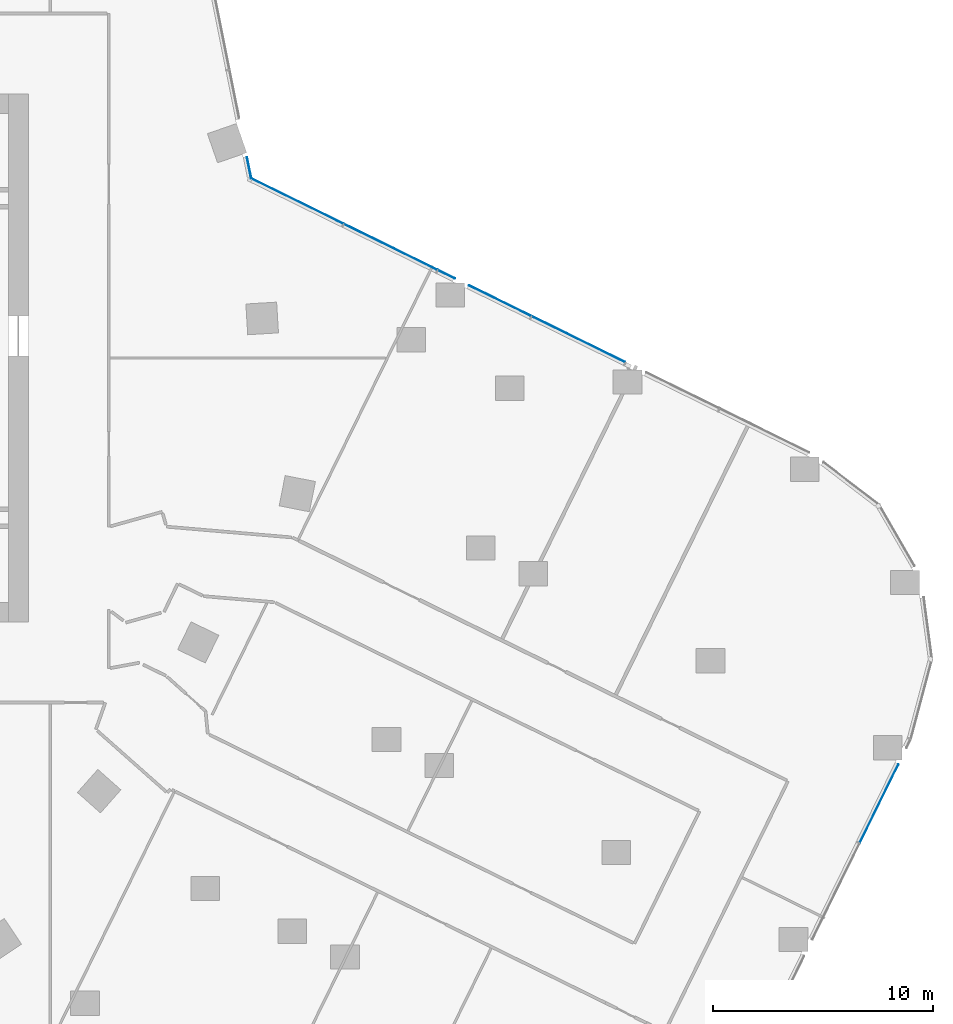
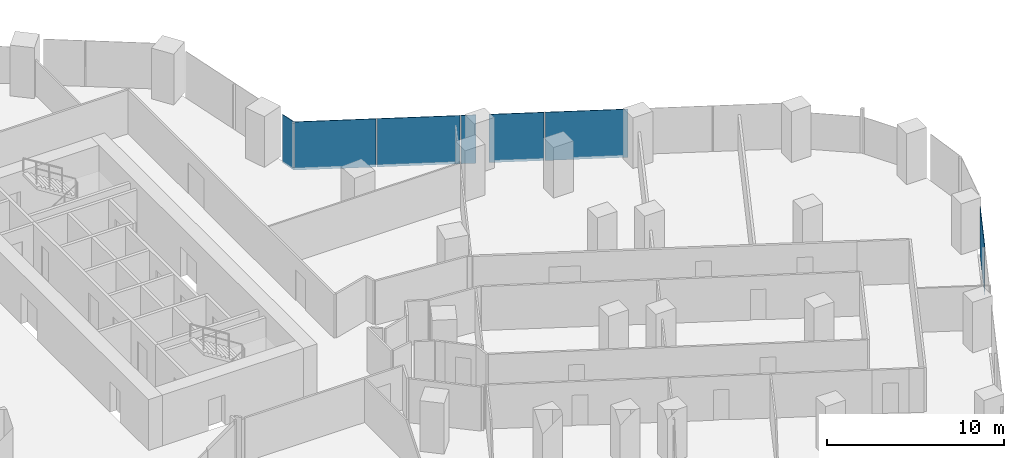
# One storey, part 22 of 38: 7 plates, 3 elements without a shape of their own.
"""IFC4 building model written with IfcOpenShell, lengths in metres."""

from ifc_helpers import new_model, si_unit, direction, frame, origin, origin_2d, place, context, subcontext, project, spatial, rectangle, extrude, material, layer, layer_set, type_object, element, aggregate, save


model = new_model("IFC4")

# Units and contexts
model_context = context("Model", 3, precision=1e-05, world=origin(), true_north=direction((0.0, 1.0)))
body_context = subcontext(model_context, "Body", "Model", "MODEL_VIEW")
ifc_project = project(units=[si_unit("LENGTHUNIT", "METRE"), si_unit("AREAUNIT", "SQUARE_METRE"), si_unit("VOLUMEUNIT", "CUBIC_METRE"), si_unit("PLANEANGLEUNIT", "RADIAN"), si_unit("MASSUNIT", "GRAM", prefix="KILO")], contexts=[model_context])

# Site, building, storey
site_placement = place(None, origin())
site = spatial("IfcSite", under=ifc_project, at=site_placement, CompositionType="ELEMENT")
building_placement = place(site_placement, origin())
building = spatial("IfcBuilding", under=site, at=building_placement, Name="Orlundy Tower", CompositionType="ELEMENT")
storey_placement = place(building_placement, frame((0.0, 0.0, 72.800048828125)))
storey = spatial("IfcBuildingStorey", under=building, at=storey_placement, Name="L17", CompositionType="ELEMENT", Elevation=72.800048828125)

# Curtain wall, plate
ifc_material_1 = material(Name="Aluminium bronze anodised", Category="aluminium")
curtain_wall_type = type_object("IfcCurtainWallType", Name="CW1 wall", PredefinedType="NOTDEFINED", material=ifc_material_1)
curtain_wall_1_placement = place(storey_placement, origin())
curtain_wall_1 = element("IfcCurtainWall", 1, at=curtain_wall_1_placement, inside=storey, type_object=curtain_wall_type, Name="CW1 run 017", PredefinedType="NOTDEFINED")
ifc_material_2 = material(Name="Tinted glass", Category="glass")
ifc_layer = layer(ifc_material_2, 0.031982421875)
ifc_layer_set = layer_set([ifc_layer], Name="CW1 glass panel 32")
plate_type = type_object("IfcPlateType", Name="CW1 glass panel 32", PredefinedType="CURTAIN_PANEL", material=ifc_layer_set)
plate_1_placement = place(storey_placement, frame((29.032958984375, 8.63720703125, -0.280029296875), z_axis=(0.0, 0.0, 1.0), x_axis=(0.196529373401, -0.980497937474, 0.0)))
plate_1 = element("IfcPlate", 2, at=plate_1_placement, type_object=plate_type, Name="CW1 panel", PredefinedType="CURTAIN_PANEL", context=body_context, shape_type="SweptSolid", body=[
    extrude(rectangle(XDim=0.986572265625, YDim=0.031982421875, at=origin_2d()), origin(), (0.0, 0.0, 1.0), 3.330078125),
])
aggregate(curtain_wall_1, [plate_1])

# Curtain wall, plates
curtain_wall_2_placement = place(storey_placement, origin())
curtain_wall_2 = element("IfcCurtainWall", 3, at=curtain_wall_2_placement, inside=storey, type_object=curtain_wall_type, Name="CW1 run 018", PredefinedType="NOTDEFINED")
plate_2_placement = place(storey_placement, frame((31.21630859375, 7.12841796875, -0.280029296875), z_axis=(0.0, 0.0, 1.0), x_axis=(0.897517823728, -0.440978180969, 0.0)))
plate_2 = element("IfcPlate", 4, at=plate_2_placement, type_object=plate_type, Name="CW1 panel", PredefinedType="CURTAIN_PANEL", context=body_context, shape_type="SweptSolid", body=[
    extrude(rectangle(XDim=4.6494140625, YDim=0.031982421875, at=origin_2d()), origin(), (0.0, 0.0, 1.0), 3.330078125),
])
plate_3_placement = place(storey_placement, frame((35.459228515625, 5.043701171875, -0.280029296875), z_axis=(0.0, 0.0, 1.0), x_axis=(0.897517823728, -0.440978180969, 0.0)))
plate_3 = element("IfcPlate", 5, at=plate_3_placement, type_object=plate_type, Name="CW1 panel", PredefinedType="CURTAIN_PANEL", context=body_context, shape_type="SweptSolid", body=[
    extrude(rectangle(XDim=4.705322265625, YDim=0.031982421875, at=origin_2d()), origin(), (0.0, 0.0, 1.0), 3.330078125),
])
plate_4_placement = place(storey_placement, frame((37.99755859375, 3.796630859375, -0.280029296875), z_axis=(0.0, 0.0, 1.0), x_axis=(0.897517823728, -0.440978180969, 0.0)))
plate_4 = element("IfcPlate", 6, at=plate_4_placement, type_object=plate_type, Name="CW1 panel", PredefinedType="CURTAIN_PANEL", context=body_context, shape_type="SweptSolid", body=[
    extrude(rectangle(XDim=0.850830078125, YDim=0.031982421875, at=origin_2d()), origin(), (0.0, 0.0, 1.0), 3.330078125),
])
plate_5_placement = place(storey_placement, frame((40.430908203125, 2.60107421875, -0.280029296875), z_axis=(0.0, 0.0, 1.0), x_axis=(0.897517823728, -0.440978180969, 0.0)))
plate_5 = element("IfcPlate", 7, at=plate_5_placement, type_object=plate_type, Name="CW1 panel", PredefinedType="CURTAIN_PANEL", context=body_context, shape_type="SweptSolid", body=[
    extrude(rectangle(XDim=3.137451171875, YDim=0.031982421875, at=origin_2d()), origin(), (0.0, 0.0, 1.0), 3.330078125),
])
plate_6_placement = place(storey_placement, frame((43.995361328125, 0.849609375, -0.280029296875), z_axis=(0.0, 0.0, 1.0), x_axis=(0.897517823728, -0.440978180969, 0.0)))
plate_6 = element("IfcPlate", 8, at=plate_6_placement, type_object=plate_type, Name="CW1 panel", PredefinedType="CURTAIN_PANEL", context=body_context, shape_type="SweptSolid", body=[
    extrude(rectangle(XDim=4.705322265625, YDim=0.031982421875, at=origin_2d()), origin(), (0.0, 0.0, 1.0), 3.330078125),
])
aggregate(curtain_wall_2, [plate_2, plate_3, plate_4, plate_5, plate_6])

# Curtain wall, plate
curtain_wall_3_placement = place(storey_placement, origin())
curtain_wall_3 = element("IfcCurtainWall", 9, at=curtain_wall_3_placement, inside=storey, type_object=curtain_wall_type, Name="CW1 run 023", PredefinedType="NOTDEFINED")
plate_7_placement = place(storey_placement, frame((57.647216796875, -20.23828125, -0.280029296875), z_axis=(0.0, 0.0, 1.0), x_axis=(-0.441012235503, -0.897501090883, 0.0)))
plate_7 = element("IfcPlate", 10, at=plate_7_placement, type_object=plate_type, Name="CW1 panel", PredefinedType="CURTAIN_PANEL", context=body_context, shape_type="SweptSolid", body=[
    extrude(rectangle(XDim=3.965087890625, YDim=0.031982421875, at=origin_2d()), origin(), (0.0, 0.0, 1.0), 3.330078125),
])
aggregate(curtain_wall_3, [plate_7])

save(model, "model.ifc")
